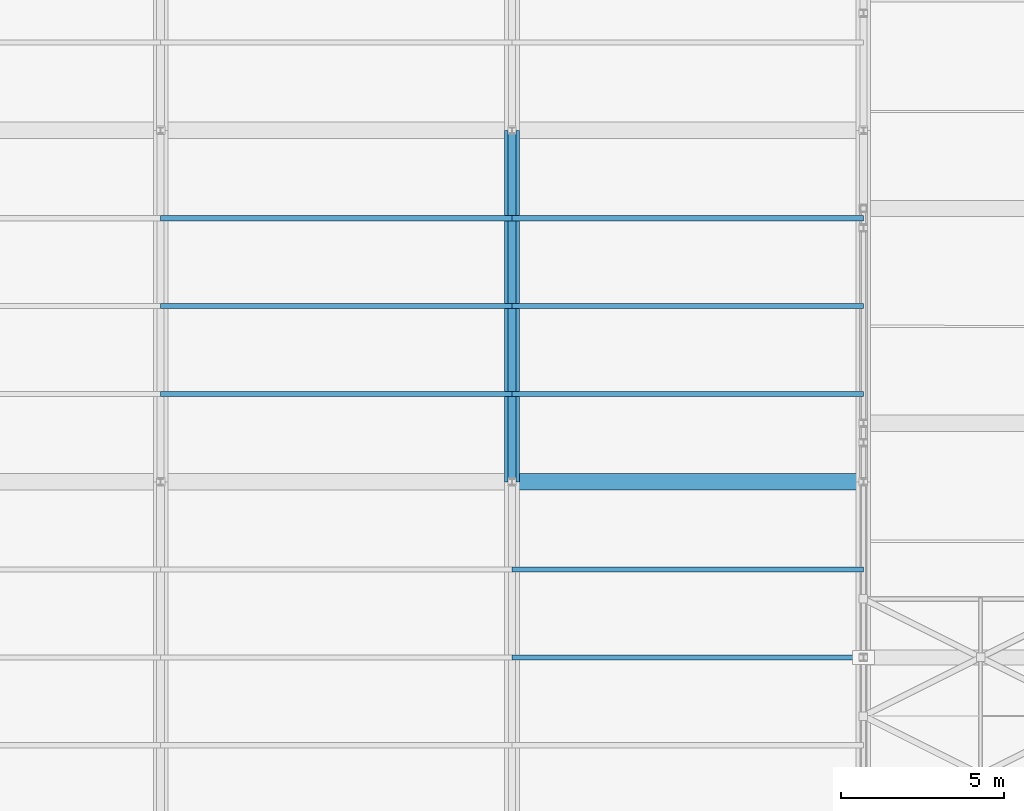
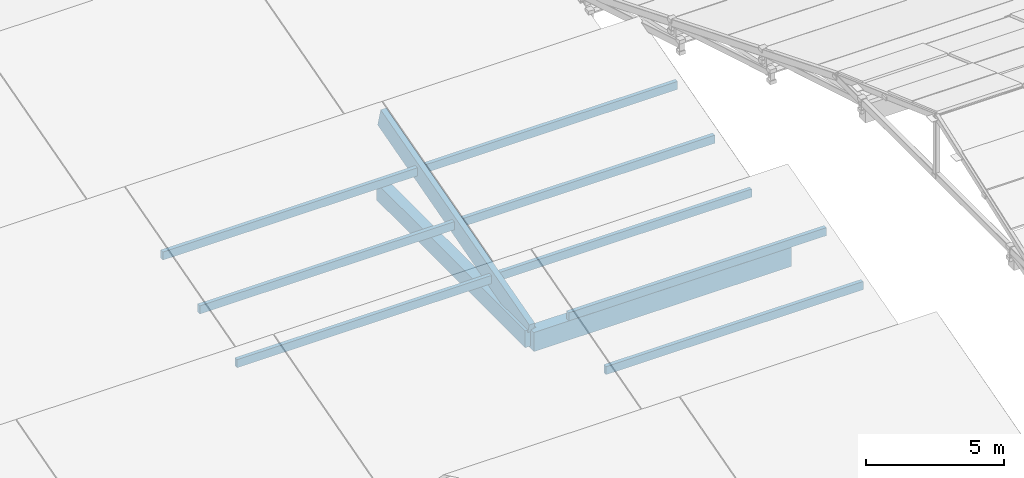
# One storey, part 30 of 112: 9 members, 2 beams.
"""IFC4 building model written with IfcOpenShell, lengths in metres."""

from ifc_helpers import new_model, si_unit, direction, frame, origin, origin_2d, place, context, subcontext, project, spatial, rectangle, extrude, material, material_profile, profile_set, type_object, element, save


model = new_model("IFC4")

# Units and contexts
model_context = context("Model", 3, precision=1e-05, world=origin(), true_north=direction((0.0, 1.0)))
body_context = subcontext(model_context, "Body", "Model", "MODEL_VIEW")
ifc_project = project(units=[si_unit("LENGTHUNIT", "METRE"), si_unit("AREAUNIT", "SQUARE_METRE"), si_unit("VOLUMEUNIT", "CUBIC_METRE"), si_unit("PLANEANGLEUNIT", "RADIAN"), si_unit("MASSUNIT", "GRAM", prefix="KILO")], contexts=[model_context])

# Site, building, storey
site_placement = place(None, origin())
site = spatial("IfcSite", under=ifc_project, at=site_placement, CompositionType="ELEMENT")
building_placement = place(site_placement, origin())
building = spatial("IfcBuilding", under=site, at=building_placement, Name="Zwinboog Wholesale Market", CompositionType="ELEMENT")
storey_placement = place(building_placement, frame((0.0, 0.0, 19.080078125)))
storey = spatial("IfcBuildingStorey", under=building, at=storey_placement, Name="Roof", CompositionType="ELEMENT", Elevation=19.080078125)

# Beams
ifc_material_1 = material(Name="Precast concrete C45/55", Category="concrete")
ifc_material_profile_1 = material_profile(ifc_material_1, rectangle(XDim=0.5, YDim=0.85009765625, at=origin_2d()), Name="PC 500x850")
ifc_profile_set_1 = profile_set([ifc_material_profile_1], Name="Precast concrete C45/55")
beam_type_1 = type_object("IfcBeamType", Name="BT-03", PredefinedType="BEAM", material=ifc_profile_set_1)
beam_1_placement = place(storey_placement, frame((54.0, 86.39990234375, -9.425048828125), z_axis=(1.0, 0.0, 0.0), x_axis=(0.0, 1.0, 0.0)))
element("IfcBeam", 1, at=beam_1_placement, inside=storey, type_object=beam_type_1, Name="BG-03 (BMG-Roof-0540-0864-1196)", PredefinedType="BEAM", context=body_context, shape_type="SweptSolid", body=[
    extrude(rectangle(XDim=0.5, YDim=0.85009765625, at=origin_2d()), origin(), (0.0, 0.0, 1.0), 10.800048828125),
])
ifc_material_profile_2 = material_profile(ifc_material_1, rectangle(XDim=0.449951171875, YDim=0.75, at=origin_2d()), Name="PC 450x750")
ifc_profile_set_2 = profile_set([ifc_material_profile_2], Name="Precast concrete C45/55")
beam_type_2 = type_object("IfcBeamType", Name="BT-04", PredefinedType="BEAM", material=ifc_profile_set_2)
beam_2_placement = place(storey_placement, frame((54.0, 86.39990234375, -9.375), z_axis=(0.0, 1.0, 0.0), x_axis=(-1.0, 0.0, 0.0)))
element("IfcBeam", 2, at=beam_2_placement, inside=storey, type_object=beam_type_2, Name="BG-04 (BMG-Roof-0540-0864-1253)", PredefinedType="BEAM", context=body_context, shape_type="SweptSolid", body=[
    extrude(rectangle(XDim=0.449951171875, YDim=0.75, at=origin_2d()), origin(), (0.0, 0.0, 1.0), 10.800048828125),
])

# Members
ifc_material_2 = material(Name="Glulam GL28h", Category="wood")
ifc_material_profile_3 = material_profile(ifc_material_2, rectangle(XDim=0.239990234375, YDim=0.840087890625, at=origin_2d()), Name="GL28h 240x840")
ifc_profile_set_3 = profile_set([ifc_material_profile_3], Name="Glulam GL28h")
member_type_1 = type_object("IfcMemberType", Name="MT-09", PredefinedType="RAFTER", material=ifc_profile_set_3)
member_placement = place(storey_placement, frame((54.0, 86.39990234375, -9.11328125), z_axis=(0.0, 0.963518221675, 0.26764274042), x_axis=(-1.0, 0.0, 0.0)))
element("IfcMember", 3, at=member_placement, inside=storey, type_object=member_type_1, Name="GR-01 (MEM-Roof-0870)", PredefinedType="RAFTER", context=body_context, shape_type="SweptSolid", body=[
    extrude(rectangle(XDim=0.239990234375, YDim=0.840087890625, at=origin_2d()), origin(), (0.0, 0.0, 1.0), 11.208984375),
])
ifc_material_profile_4 = material_profile(ifc_material_2, rectangle(XDim=0.159912109375, YDim=0.360107421875, at=origin_2d()), Name="GL28h 160x360")
ifc_profile_set_4 = profile_set([ifc_material_profile_4], Name="Glulam GL28h")
member_type_2 = type_object("IfcMemberType", Name="MT-12", PredefinedType="PURLIN", material=ifc_profile_set_4)
for number, where, z_axis, x_axis, name in (
    (4, (54.0, 83.699951171875, -6.773193359375), (1.0, 0.0, 0.0), (0.0, 1.0, 0.0), "GP-01 (MEM-Roof-0865)"),
    (5, (43.199951171875, 89.10009765625, -8.345703125), (1.0, 0.0, 0.0), (0.0, 1.0, 0.0), "GP-01 (MEM-Roof-0867)"),
    (6, (43.199951171875, 94.5, -6.845703125), (1.0, 0.0, 0.0), (0.0, 1.0, 0.0), "GP-01 (MEM-Roof-0868)"),
    (7, (54.0, 89.10009765625, -8.333251953125), (1.0, 0.0, 0.0), (0.0, 1.0, 0.0), "GP-01 (MEM-Roof-0873)"),
    (8, (54.0, 94.5, -6.833251953125), (1.0, 0.0, 0.0), (0.0, 1.0, 0.0), "GP-01 (MEM-Roof-0874)"),
    (9, (54.0, 81.0, -7.523193359375), (1.0, 0.0, 0.0), (0.0, 1.0, 0.0), "GP-01 (MEM-PRL-Roof-0044)"),
    (10, (43.199951171875, 91.800048828125, -7.595703125), (1.0, 0.0, 0.0), (0.0, 1.0, 0.0), "GP-01 (MEM-PRL-Roof-0045)"),
    (11, (54.0, 91.800048828125, -7.583251953125), (1.0, 0.0, 0.0), (0.0, 1.0, 0.0), "GP-01 (MEM-PRL-Roof-0046)"),
):
    element("IfcMember", number, at=place(storey_placement, frame(where, z_axis=z_axis, x_axis=x_axis)), inside=storey, type_object=member_type_2, Name=name, PredefinedType="PURLIN", context=body_context, shape_type="SweptSolid", body=[
        extrude(rectangle(XDim=0.159912109375, YDim=0.360107421875, at=origin_2d()), origin(), (0.0, 0.0, 1.0), 10.800048828125),
    ])

save(model, "model.ifc")
